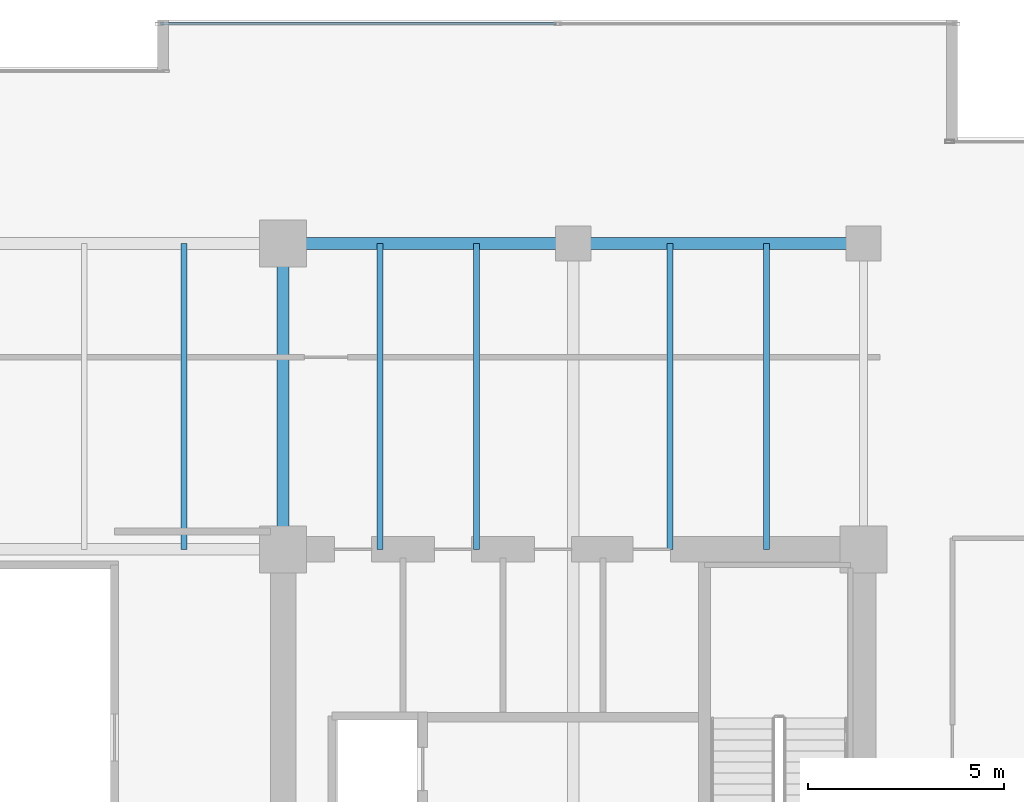
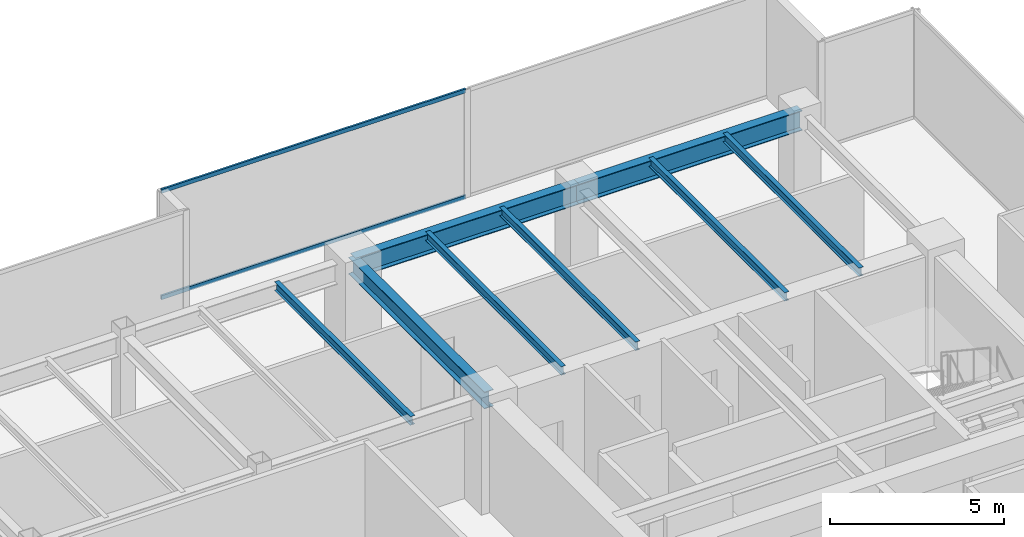
# One storey, part 19 of 30: 8 beams, 2 members, 1 element without a shape of its own.
"""IFC4 building model written with IfcOpenShell, lengths in metres."""

from ifc_helpers import new_model, si_unit, direction, frame, origin, origin_2d, place, context, subcontext, project, spatial, hollow_rectangle, i_section, extrude, source, transform, mapped, material, layer, layer_set, material_profile, profile_set, type_object, type_shapes, element, aggregate, save


model = new_model("IFC4")

# Units and contexts
model_context = context("Model", 3, precision=1e-05, world=origin(), true_north=direction((0.0, 1.0)))
body_context = subcontext(model_context, "Body", "Model", "MODEL_VIEW")
ifc_project = project(units=[si_unit("LENGTHUNIT", "METRE"), si_unit("AREAUNIT", "SQUARE_METRE"), si_unit("VOLUMEUNIT", "CUBIC_METRE"), si_unit("PLANEANGLEUNIT", "RADIAN"), si_unit("MASSUNIT", "GRAM", prefix="KILO")], contexts=[model_context])

# Site, building, storey
site_placement = place(None, origin())
site = spatial("IfcSite", under=ifc_project, at=site_placement, CompositionType="ELEMENT")
building_placement = place(site_placement, origin())
building = spatial("IfcBuilding", under=site, at=building_placement, Name="Haelvirn Gate Laboratories", CompositionType="ELEMENT")
storey_placement = place(building_placement, frame((0.0, 0.0, 187.10009765625)))
storey = spatial("IfcBuildingStorey", under=building, at=storey_placement, Name="L45", CompositionType="ELEMENT", Elevation=187.10009765625)

# Beams
ifc_material_1 = material(Name="Steel SM355", Category="steel")
ifc_material_profile_1 = material_profile(ifc_material_1, i_section(OverallWidth=0.300048828125, OverallDepth=0.699951171875, WebThickness=0.012939453125, FlangeThickness=0.02392578125, at=origin_2d()), Name="H-700x300x13x24")
ifc_profile_set_1 = profile_set([ifc_material_profile_1], Name="Steel SM355")
beam_type_1 = type_object("IfcBeamType", Name="BM-G-700", PredefinedType="BEAM", material=ifc_profile_set_1)
shared_shape_1 = source(origin(), body_context, "Body", "SweptSolid", [
    extrude(i_section(OverallWidth=0.300048828125, OverallDepth=0.699951171875, WebThickness=0.012939453125, FlangeThickness=0.02392578125, at=origin_2d()), origin(), (0.0, 0.0, 1.0), 7.39990234375),
])
type_shapes(beam_type_1, [shared_shape_1])
for number, where, z_axis, x_axis, name in (
    (1, (52.60009765625, 41.60009765625, 3.43994140625), (1.0, 0.0, 0.0), (0.0, 1.0, 0.0), "L45 Primary Girder Y41.6 (52.6-60.0)"),
    (2, (60.0, 41.60009765625, 3.43994140625), (1.0, 0.0, 0.0), (0.0, 1.0, 0.0), "L45 Primary Girder Y41.6 (60.0-67.4)"),
):
    element("IfcBeam", number, at=place(storey_placement, frame(where, z_axis=z_axis, x_axis=x_axis)), inside=storey, type_object=beam_type_1, Name=name, PredefinedType="BEAM", context=body_context, shape_type="MappedRepresentation", body=[
        mapped(shared_shape_1, transform((0.0, 0.0, 0.0), scale=1.0)),
    ])
ifc_material_profile_2 = material_profile(ifc_material_1, i_section(OverallWidth=0.14990234375, OverallDepth=0.300048828125, WebThickness=0.006591796875, FlangeThickness=0.009033203125, at=origin_2d()), Name="H-300x150x6.5x9")
ifc_profile_set_2 = profile_set([ifc_material_profile_2], Name="Steel SM355")
beam_type_2 = type_object("IfcBeamType", Name="BM-J-300", PredefinedType="JOIST", material=ifc_profile_set_2)
shared_shape_2 = source(origin(), body_context, "Body", "SweptSolid", [
    extrude(i_section(OverallWidth=0.14990234375, OverallDepth=0.300048828125, WebThickness=0.006591796875, FlangeThickness=0.009033203125, at=origin_2d()), origin(), (0.0, 0.0, 1.0), 7.800048828125),
])
type_shapes(beam_type_2, [shared_shape_2])
for number, where, z_axis, x_axis, name in (
    (3, (50.070068359375, 33.800048828125, 3.639892578125), (0.0, 1.0, 0.0), (-1.0, 0.0, 0.0), "L45 Composite Lab Joist North X50.07"),
    (4, (55.070068359375, 33.800048828125, 3.639892578125), (0.0, 1.0, 0.0), (-1.0, 0.0, 0.0), "L45 Composite Lab Joist North X55.07"),
    (5, (57.530029296875, 33.800048828125, 3.639892578125), (0.0, 1.0, 0.0), (-1.0, 0.0, 0.0), "L45 Composite Lab Joist North X57.53"),
    (6, (62.469970703125, 33.800048828125, 3.639892578125), (0.0, 1.0, 0.0), (-1.0, 0.0, 0.0), "L45 Composite Lab Joist North X62.47"),
    (7, (64.929931640625, 33.800048828125, 3.639892578125), (0.0, 1.0, 0.0), (-1.0, 0.0, 0.0), "L45 Composite Lab Joist North X64.93"),
):
    element("IfcBeam", number, at=place(storey_placement, frame(where, z_axis=z_axis, x_axis=x_axis)), inside=storey, type_object=beam_type_2, Name=name, PredefinedType="JOIST", context=body_context, shape_type="MappedRepresentation", body=[
        mapped(shared_shape_2, transform((0.0, 0.0, 0.0), scale=1.0)),
    ])
ifc_material_profile_3 = material_profile(ifc_material_1, i_section(OverallWidth=0.300048828125, OverallDepth=0.587890625, WebThickness=0.011962890625, FlangeThickness=0.02001953125, at=origin_2d()), Name="H-588x300x12x20")
ifc_profile_set_3 = profile_set([ifc_material_profile_3], Name="Steel SM355")
beam_type_3 = type_object("IfcBeamType", Name="BM-G-588", PredefinedType="BEAM", material=ifc_profile_set_3)
shared_shape_3 = source(origin(), body_context, "Body", "SweptSolid", [
    extrude(i_section(OverallWidth=0.300048828125, OverallDepth=0.587890625, WebThickness=0.011962890625, FlangeThickness=0.02001953125, at=origin_2d()), origin(), (0.0, 0.0, 1.0), 7.800048828125),
])
type_shapes(beam_type_3, [shared_shape_3])
beam_placement = place(storey_placement, frame((52.60009765625, 33.800048828125, 3.495849609375), z_axis=(0.0, 1.0, 0.0), x_axis=(-1.0, 0.0, 0.0)))
element("IfcBeam", 8, at=beam_placement, inside=storey, type_object=beam_type_3, Name="L45 Frame Girder X52.6 (33.8-41.6)", PredefinedType="BEAM", context=body_context, shape_type="MappedRepresentation", body=[
    mapped(shared_shape_3, transform((0.0, 0.0, 0.0), scale=1.0)),
])

# Curtain wall, members
ifc_material_2 = material(Name="Anodised bronze unitised aluminium & triple low-E glass", Category="aluminium")
ifc_layer = layer(ifc_material_2, 0.179931640625, Name="CW-SYS-3")
ifc_layer_set = layer_set([ifc_layer], Name="Anodised bronze unitised aluminium & triple low-E glass")
curtain_wall_type = type_object("IfcCurtainWallType", Name="CW-SYS-3", PredefinedType="NOTDEFINED", material=ifc_layer_set)
curtain_wall_placement = place(storey_placement, origin())
curtain_wall = element("IfcCurtainWall", 9, at=curtain_wall_placement, inside=storey, type_object=curtain_wall_type, Name="L45 Unitised Curtain Wall CW-L45-P0-E10-1", PredefinedType="NOTDEFINED")
ifc_material_3 = material(Name="Extruded aluminium 6063-T6 (anodised bronze)", Category="aluminium")
ifc_material_profile_4 = material_profile(ifc_material_3, hollow_rectangle(XDim=0.06494140625, YDim=0.139892578125, WallThickness=0.00390625, at=origin_2d()), Name="CWT-140x65x4")
ifc_profile_set_4 = profile_set([ifc_material_profile_4], Name="Extruded aluminium 6063-T6 (anodised bronze)")
member_type = type_object("IfcMemberType", Name="CWT-T140", PredefinedType="USERDEFINED", material=ifc_profile_set_4)
shared_shape_4 = source(origin(), body_context, "Body", "SweptSolid", [
    extrude(hollow_rectangle(XDim=0.06494140625, YDim=0.139892578125, WallThickness=0.00390625, at=origin_2d()), origin(), (0.0, 0.0, 1.0), 10.08740234375),
])
type_shapes(member_type, [shared_shape_4])
member_1_placement = place(storey_placement, frame((49.47509765625, 47.199951171875, 0.032470703125), z_axis=(1.0, 0.0, 0.0), x_axis=(0.0, 1.0, 0.0)))
member_1 = element("IfcMember", 10, at=member_1_placement, type_object=member_type, Name="CW3 transom 1.1", ObjectType="TRANSOM", PredefinedType="USERDEFINED", context=body_context, shape_type="MappedRepresentation", body=[
    mapped(shared_shape_4, transform((0.0, 0.0, 0.0), scale=1.0)),
])
member_2_placement = place(storey_placement, frame((49.47509765625, 47.199951171875, 3.75732421875), z_axis=(1.0, 0.0, 0.0), x_axis=(0.0, 1.0, 0.0)))
member_2 = element("IfcMember", 11, at=member_2_placement, type_object=member_type, Name="CW3 transom 1.2", ObjectType="TRANSOM", PredefinedType="USERDEFINED", context=body_context, shape_type="MappedRepresentation", body=[
    mapped(shared_shape_4, transform((0.0, 0.0, 0.0), scale=1.0)),
])
aggregate(curtain_wall, [member_1, member_2])

save(model, "model.ifc")
